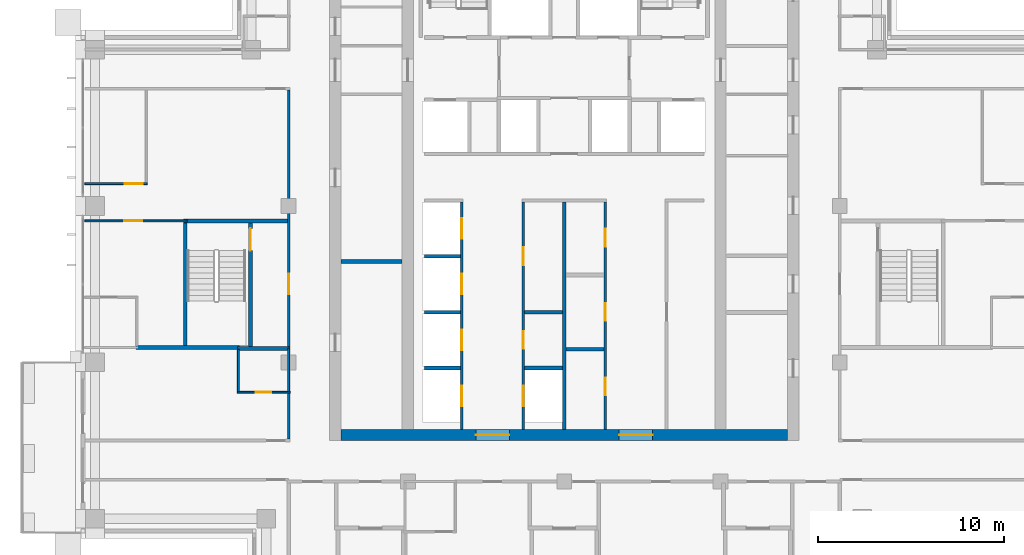
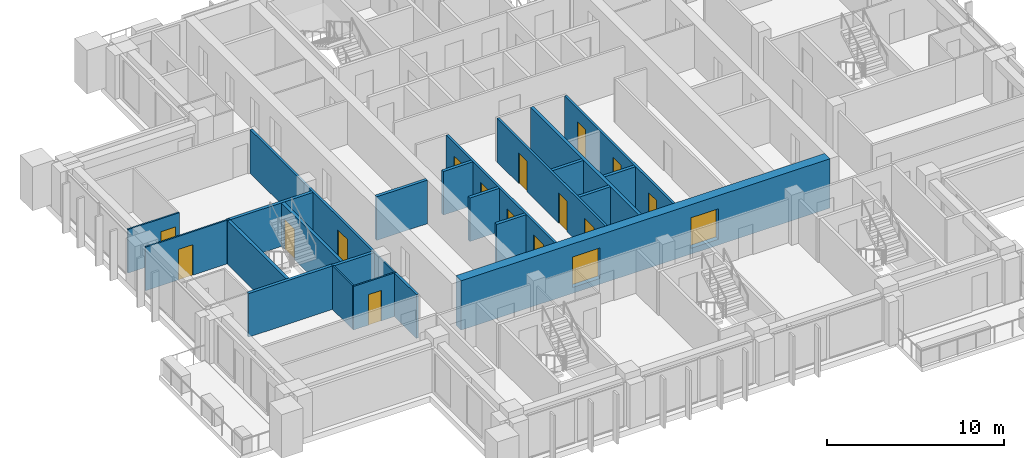
# One storey, part 10 of 19: 24 walls, 17 doors, 17 openings.
"""IFC4 building model written with IfcOpenShell, lengths in metres."""

from ifc_helpers import new_model, si_unit, direction, frame, frame_2d, origin, place, context, subcontext, project, spatial, rectangle, extrude, material, layer, layer_set, type_object, element, fill, save


model = new_model("IFC4")

# Units and contexts
model_context = context("Model", 3, precision=1e-05, world=origin(), true_north=direction((0.0, 1.0)))
body_context = subcontext(model_context, "Body", "Model", "MODEL_VIEW")
ifc_project = project(units=[si_unit("LENGTHUNIT", "METRE"), si_unit("AREAUNIT", "SQUARE_METRE"), si_unit("VOLUMEUNIT", "CUBIC_METRE"), si_unit("PLANEANGLEUNIT", "RADIAN"), si_unit("MASSUNIT", "GRAM", prefix="KILO")], contexts=[model_context])

# Site, building, storey
site_placement = place(None, origin())
site = spatial("IfcSite", under=ifc_project, at=site_placement, CompositionType="ELEMENT")
building_placement = place(site_placement, origin())
building = spatial("IfcBuilding", under=site, at=building_placement, Name="Vermilion Ogive Tower", CompositionType="ELEMENT")
storey_placement = place(building_placement, frame((0.0, 0.0, 213.5)))
storey = spatial("IfcBuildingStorey", under=building, at=storey_placement, Name="L56", CompositionType="ELEMENT", Elevation=213.5)

# Wall, openings, doors
ifc_material_1 = material(Name="Concrete B60", Category="concrete")
ifc_layer_1 = layer(ifc_material_1, 0.60009765625)
ifc_layer_set_1 = layer_set([ifc_layer_1], Name="Core wall 600 B60")
wall_type_1 = type_object("IfcWallType", Name="Core wall 600 B60", PredefinedType="SHEAR", material=ifc_layer_set_1)
wall_1_placement = place(storey_placement, frame((-12.0, -8.10009765625, -0.39990234375), z_axis=(0.0, 0.0, 1.0), x_axis=(1.0, 0.0, 0.0)))
wall_1 = element("IfcWall", 1, at=wall_1_placement, inside=storey, type_object=wall_type_1, Name="L56-CORE-S", PredefinedType="SHEAR", context=body_context, shape_type="SweptSolid", body=[
    extrude(rectangle(XDim=24.0, YDim=0.60009765625, at=frame_2d((12.0, 0.0))), origin(), (0.0, 0.0, 1.0), 3.39990234375),
])
opening_1_placement = place(wall_1_placement, frame((7.25, 0.0, 0.39990234375)))
opening_1 = element("IfcOpeningElement", 2, at=opening_1_placement, cuts=wall_1, Name="Opening DAH045", PredefinedType="OPENING", context=body_context, shape_type="SweptSolid", body=[
    extrude(rectangle(XDim=1.800048828125, YDim=2.10009765625, at=frame_2d((0.89990234375, 1.050048828125))), frame((0.0, 0.31005859375, 0.0), z_axis=(0.0, -1.0, 0.0), x_axis=(1.0, 0.0, 0.0)), (0.0, 0.0, 1.0), 0.6201171875),
])
opening_2_placement = place(wall_1_placement, frame((14.949951171875, 0.0, 0.39990234375)))
opening_2 = element("IfcOpeningElement", 3, at=opening_2_placement, cuts=wall_1, Name="Opening DAH046", PredefinedType="OPENING", context=body_context, shape_type="SweptSolid", body=[
    extrude(rectangle(XDim=1.800048828125, YDim=2.10009765625, at=frame_2d((0.89990234375, 1.050048828125))), frame((0.0, 0.31005859375, 0.0), z_axis=(0.0, -1.0, 0.0), x_axis=(1.0, 0.0, 0.0)), (0.0, 0.0, 1.0), 0.6201171875),
])
ifc_material_2 = material(Name="Timber door leaf", Category="wood")
door_type_1 = type_object("IfcDoorType", Name="Core entry door 1800 x 2100 FD60S", OperationType="DOUBLE_DOOR_SINGLE_SWING", PredefinedType="DOOR", material=ifc_material_2)
door_1_placement = place(opening_1_placement, origin())
door_1 = element("IfcDoor", 4, at=door_1_placement, inside=storey, type_object=door_type_1, Name="L56-CK-XD1", OperationType="SINGLE_SWING_LEFT", OverallHeight=2.10009765625, OverallWidth=1.800048828125, PredefinedType="DOOR", context=body_context, shape_type="SweptSolid", body=[
    extrude(rectangle(XDim=1.800048828125, YDim=2.10009765625, at=frame_2d((0.89990234375, 1.050048828125))), frame((0.0, 0.02490234375, 0.0), z_axis=(0.0, -1.0, 0.0), x_axis=(1.0, 0.0, 0.0)), (0.0, 0.0, 1.0), 0.050048828125),
])
fill(opening_1, door_1)
door_2_placement = place(opening_2_placement, origin())
door_2 = element("IfcDoor", 5, at=door_2_placement, inside=storey, type_object=door_type_1, Name="L56-CK-XD2", OperationType="SINGLE_SWING_LEFT", OverallHeight=2.10009765625, OverallWidth=1.800048828125, PredefinedType="DOOR", context=body_context, shape_type="SweptSolid", body=[
    extrude(rectangle(XDim=1.800048828125, YDim=2.10009765625, at=frame_2d((0.89990234375, 1.050048828125))), frame((0.0, 0.02490234375, 0.0), z_axis=(0.0, -1.0, 0.0), x_axis=(1.0, 0.0, 0.0)), (0.0, 0.0, 1.0), 0.050048828125),
])
fill(opening_2, door_2)

# Wall, opening, door
ifc_material_3 = material(Name="Gypsum board partition on steel studs", Category="steel")
ifc_layer_2 = layer(ifc_material_3, 0.10009765625)
ifc_layer_set_2 = layer_set([ifc_layer_2], Name="Partition 100 bath")
wall_type_2 = type_object("IfcWallType", Name="Partition 100 bath", PredefinedType="PARTITIONING", material=ifc_layer_set_2)
wall_2_placement = place(storey_placement, frame((-17.550048828125, -5.800048828125, 0.0), z_axis=(0.0, 0.0, 1.0), x_axis=(1.0, 0.0, 0.0)))
wall_2 = element("IfcWall", 6, at=wall_2_placement, inside=storey, type_object=wall_type_2, Name="L56-W-W017", PredefinedType="PARTITIONING", context=body_context, shape_type="SweptSolid", body=[
    extrude(rectangle(XDim=2.824951171875, YDim=0.10009765625, at=frame_2d((1.41259765625, 0.0))), origin(), (0.0, 0.0, 1.0), 3.0),
])
opening_3_placement = place(wall_2_placement, frame((0.97509765625, 0.0, 0.0)))
opening_3 = element("IfcOpeningElement", 7, at=opening_3_placement, cuts=wall_2, Name="Opening D4G6003", PredefinedType="OPENING", context=body_context, shape_type="SweptSolid", body=[
    extrude(rectangle(XDim=0.85009765625, YDim=2.10009765625, at=frame_2d((0.425048828125, 1.050048828125))), frame((0.0, 0.06005859375, 0.0), z_axis=(0.0, -1.0, 0.0), x_axis=(1.0, 0.0, 0.0)), (0.0, 0.0, 1.0), 0.1201171875),
])
ifc_material_4 = material(Name="Timber door leaf", Category="wood")
door_type_2 = type_object("IfcDoorType", Name="Bath door 850 x 2100 FD30", OperationType="SINGLE_SWING_LEFT", PredefinedType="DOOR", material=ifc_material_4)
door_3_placement = place(opening_3_placement, origin())
door_3 = element("IfcDoor", 8, at=door_3_placement, inside=storey, type_object=door_type_2, Name="L56-D-D003", OperationType="SINGLE_SWING_LEFT", OverallHeight=2.10009765625, OverallWidth=0.85009765625, PredefinedType="DOOR", context=body_context, shape_type="SweptSolid", body=[
    extrude(rectangle(XDim=0.85009765625, YDim=2.10009765625, at=frame_2d((0.425048828125, 1.050048828125))), frame((0.0, 0.02490234375, 0.0), z_axis=(0.0, -1.0, 0.0), x_axis=(1.0, 0.0, 0.0)), (0.0, 0.0, 1.0), 0.050048828125),
])
fill(opening_3, door_3)

# Walls
wall_3_placement = place(storey_placement, frame((-17.5, -5.75, 0.0), z_axis=(0.0, 0.0, 1.0), x_axis=(0.0, 1.0, 0.0)))
element("IfcWall", 9, at=wall_3_placement, inside=storey, type_object=wall_type_2, Name="L56-W-W044", PredefinedType="PARTITIONING", context=body_context, shape_type="SweptSolid", body=[
    extrude(rectangle(XDim=2.25, YDim=0.10009765625, at=frame_2d((1.125, 0.0))), origin(), (0.0, 0.0, 1.0), 3.0),
])
wall_4_placement = place(storey_placement, frame((-14.800048828125, -5.75, 0.0), z_axis=(0.0, 0.0, 1.0), x_axis=(0.0, 1.0, 0.0)))
element("IfcWall", 10, at=wall_4_placement, inside=storey, type_object=wall_type_2, Name="L56-W-W049", PredefinedType="PARTITIONING", context=body_context, shape_type="SweptSolid", body=[
    extrude(rectangle(XDim=2.300048828125, YDim=0.10009765625, at=frame_2d((1.14990234375, 0.0))), origin(), (0.0, 0.0, 1.0), 3.0),
])

# Wall, opening, door
ifc_material_5 = material(Name="Gypsum board partition on steel studs", Category="steel")
ifc_layer_3 = layer(ifc_material_5, 0.10009765625)
ifc_layer_set_3 = layer_set([ifc_layer_3], Name="Partition 100 inner")
wall_type_3 = type_object("IfcWallType", Name="Partition 100 inner", PredefinedType="PARTITIONING", material=ifc_layer_set_3)
wall_5_placement = place(storey_placement, frame((-25.75, 3.39990234375, 0.0), z_axis=(0.0, 0.0, 1.0), x_axis=(1.0, 0.0, 0.0)))
wall_5 = element("IfcWall", 11, at=wall_5_placement, inside=storey, type_object=wall_type_3, Name="L56-W-W025", PredefinedType="PARTITIONING", context=body_context, shape_type="SweptSolid", body=[
    extrude(rectangle(XDim=5.5, YDim=0.10009765625, at=frame_2d((2.75, 0.0))), origin(), (0.0, 0.0, 1.0), 3.0),
])
opening_4_placement = place(wall_5_placement, frame((2.125, 0.0, 0.0)))
opening_4 = element("IfcOpeningElement", 12, at=opening_4_placement, cuts=wall_5, Name="Opening D4G6006", PredefinedType="OPENING", context=body_context, shape_type="SweptSolid", body=[
    extrude(rectangle(XDim=0.949951171875, YDim=2.10009765625, at=frame_2d((0.47509765625, 1.050048828125))), frame((0.0, 0.06005859375, 0.0), z_axis=(0.0, -1.0, 0.0), x_axis=(1.0, 0.0, 0.0)), (0.0, 0.0, 1.0), 0.1201171875),
])
ifc_material_6 = material(Name="Timber door leaf", Category="wood")
door_type_3 = type_object("IfcDoorType", Name="Inner door 950 x 2100 FD30", OperationType="SINGLE_SWING_LEFT", PredefinedType="DOOR", material=ifc_material_6)
door_4_placement = place(opening_4_placement, origin())
door_4 = element("IfcDoor", 13, at=door_4_placement, inside=storey, type_object=door_type_3, Name="L56-D-D006", OperationType="SINGLE_SWING_LEFT", OverallHeight=2.10009765625, OverallWidth=0.949951171875, PredefinedType="DOOR", context=body_context, shape_type="SweptSolid", body=[
    extrude(rectangle(XDim=0.949951171875, YDim=2.10009765625, at=frame_2d((0.47509765625, 1.050048828125))), frame((0.0, 0.02490234375, 0.0), z_axis=(0.0, -1.0, 0.0), x_axis=(1.0, 0.0, 0.0)), (0.0, 0.0, 1.0), 0.050048828125),
])
fill(opening_4, door_4)

wall_6_placement = place(storey_placement, frame((-25.75, 5.39990234375, 0.0), z_axis=(0.0, 0.0, 1.0), x_axis=(1.0, 0.0, 0.0)))
wall_6 = element("IfcWall", 14, at=wall_6_placement, inside=storey, type_object=wall_type_3, Name="L56-W-W029", PredefinedType="PARTITIONING", context=body_context, shape_type="SweptSolid", body=[
    extrude(rectangle(XDim=3.35009765625, YDim=0.10009765625, at=frame_2d((1.675048828125, 0.0))), origin(), (0.0, 0.0, 1.0), 3.0),
])
opening_5_placement = place(wall_6_placement, frame((2.14990234375, 0.0, 0.0)))
opening_5 = element("IfcOpeningElement", 15, at=opening_5_placement, cuts=wall_6, Name="Opening D4G6004", PredefinedType="OPENING", context=body_context, shape_type="SweptSolid", body=[
    extrude(rectangle(XDim=0.949951171875, YDim=2.10009765625, at=frame_2d((0.47509765625, 1.050048828125))), frame((0.0, 0.06005859375, 0.0), z_axis=(0.0, -1.0, 0.0), x_axis=(1.0, 0.0, 0.0)), (0.0, 0.0, 1.0), 0.1201171875),
])
door_5_placement = place(opening_5_placement, origin())
door_5 = element("IfcDoor", 16, at=door_5_placement, inside=storey, type_object=door_type_3, Name="L56-D-D004", OperationType="SINGLE_SWING_RIGHT", OverallHeight=2.10009765625, OverallWidth=0.949951171875, PredefinedType="DOOR", context=body_context, shape_type="SweptSolid", body=[
    extrude(rectangle(XDim=0.949951171875, YDim=2.10009765625, at=frame_2d((0.47509765625, 1.050048828125))), frame((0.0, 0.02490234375, 0.0), z_axis=(0.0, -1.0, 0.0), x_axis=(1.0, 0.0, 0.0)), (0.0, 0.0, 1.0), 0.050048828125),
])
fill(opening_5, door_5)

# Wall
ifc_material_7 = material(Name="Gypsum board partition on steel studs", Category="steel")
ifc_layer_4 = layer(ifc_material_7, 0.14990234375)
ifc_layer_set_4 = layer_set([ifc_layer_4], Name="Partition 150 corridor")
wall_type_4 = type_object("IfcWallType", Name="Partition 150 corridor", PredefinedType="PARTITIONING", material=ifc_layer_set_4)
wall_7_placement = place(storey_placement, frame((-14.800048828125, -8.324951171875, 0.0), z_axis=(0.0, 0.0, 1.0), x_axis=(0.0, 1.0, 0.0)))
element("IfcWall", 17, at=wall_7_placement, inside=storey, type_object=wall_type_4, Name="L56-W-W048", PredefinedType="PARTITIONING", context=body_context, shape_type="SweptSolid", body=[
    extrude(rectangle(XDim=2.474853515625, YDim=0.14990234375, at=frame_2d((1.2373046875, 0.0))), origin(), (0.0, 0.0, 1.0), 3.0),
])

# Wall, opening, door
wall_8_placement = place(storey_placement, frame((-14.800048828125, -3.35009765625, 0.0), z_axis=(0.0, 0.0, 1.0), x_axis=(0.0, 1.0, 0.0)))
wall_8 = element("IfcWall", 18, at=wall_8_placement, inside=storey, type_object=wall_type_4, Name="L56-W-W050", PredefinedType="PARTITIONING", context=body_context, shape_type="SweptSolid", body=[
    extrude(rectangle(XDim=13.775146484375, YDim=0.14990234375, at=frame_2d((6.8876953125, 0.0))), origin(), (0.0, 0.0, 1.0), 3.0),
])
opening_6_placement = place(wall_8_placement, frame((2.800048828125, 0.0, 0.0)))
opening_6 = element("IfcOpeningElement", 19, at=opening_6_placement, cuts=wall_8, Name="Opening D4G6031", PredefinedType="OPENING", context=body_context, shape_type="SweptSolid", body=[
    extrude(rectangle(XDim=1.10009765625, YDim=2.10009765625, at=frame_2d((0.550048828125, 1.050048828125))), frame((0.0, 0.0849609375, 0.0), z_axis=(0.0, -1.0, 0.0), x_axis=(1.0, 0.0, 0.0)), (0.0, 0.0, 1.0), 0.169921875),
])
ifc_material_8 = material(Name="Timber door leaf", Category="wood")
door_type_4 = type_object("IfcDoorType", Name="Stair door 1100 x 2100 FD60S", OperationType="SINGLE_SWING_LEFT", PredefinedType="DOOR", material=ifc_material_8)
door_6_placement = place(opening_6_placement, origin())
door_6 = element("IfcDoor", 20, at=door_6_placement, inside=storey, type_object=door_type_4, Name="L56-D-D031", OperationType="SINGLE_SWING_RIGHT", OverallHeight=2.10009765625, OverallWidth=1.10009765625, PredefinedType="DOOR", context=body_context, shape_type="SweptSolid", body=[
    extrude(rectangle(XDim=1.10009765625, YDim=2.10009765625, at=frame_2d((0.550048828125, 1.050048828125))), frame((0.0, 0.02490234375, 0.0), z_axis=(0.0, -1.0, 0.0), x_axis=(1.0, 0.0, 0.0)), (0.0, 0.0, 1.0), 0.050048828125),
])
fill(opening_6, door_6)

# Wall, openings, doors
wall_9_placement = place(storey_placement, frame((-5.5, -7.799072265625, 0.0), z_axis=(0.0, 0.0, 1.0), x_axis=(0.0, 1.0, 0.0)))
wall_9 = element("IfcWall", 21, at=wall_9_placement, inside=storey, type_object=wall_type_4, Name="L56-CK-W-W020", PredefinedType="PARTITIONING", context=body_context, shape_type="SweptSolid", body=[
    extrude(rectangle(XDim=12.22412109375, YDim=0.14990234375, at=frame_2d((6.112060546875, 0.0))), origin(), (0.0, 0.0, 1.0), 3.0),
])
opening_7_placement = place(wall_9_placement, frame((1.2490234375, 0.0, 0.0)))
opening_7 = element("IfcOpeningElement", 22, at=opening_7_placement, cuts=wall_9, Name="Opening DAA529", PredefinedType="OPENING", context=body_context, shape_type="SweptSolid", body=[
    extrude(rectangle(XDim=1.10009765625, YDim=2.10009765625, at=frame_2d((0.550048828125, 1.050048828125))), frame((0.0, 0.0849609375, 0.0), z_axis=(0.0, -1.0, 0.0), x_axis=(1.0, 0.0, 0.0)), (0.0, 0.0, 1.0), 0.169921875),
])
opening_8_placement = place(wall_9_placement, frame((4.2490234375, 0.0, 0.0)))
opening_8 = element("IfcOpeningElement", 23, at=opening_8_placement, cuts=wall_9, Name="Opening DAA530", PredefinedType="OPENING", context=body_context, shape_type="SweptSolid", body=[
    extrude(rectangle(XDim=1.10009765625, YDim=2.10009765625, at=frame_2d((0.550048828125, 1.050048828125))), frame((0.0, 0.0849609375, 0.0), z_axis=(0.0, -1.0, 0.0), x_axis=(1.0, 0.0, 0.0)), (0.0, 0.0, 1.0), 0.169921875),
])
opening_9_placement = place(wall_9_placement, frame((7.2490234375, 0.0, 0.0)))
opening_9 = element("IfcOpeningElement", 24, at=opening_9_placement, cuts=wall_9, Name="Opening DAA531", PredefinedType="OPENING", context=body_context, shape_type="SweptSolid", body=[
    extrude(rectangle(XDim=1.10009765625, YDim=2.10009765625, at=frame_2d((0.550048828125, 1.050048828125))), frame((0.0, 0.0849609375, 0.0), z_axis=(0.0, -1.0, 0.0), x_axis=(1.0, 0.0, 0.0)), (0.0, 0.0, 1.0), 0.169921875),
])
opening_10_placement = place(wall_9_placement, frame((10.2490234375, 0.0, 0.0)))
opening_10 = element("IfcOpeningElement", 25, at=opening_10_placement, cuts=wall_9, Name="Opening DAA532", PredefinedType="OPENING", context=body_context, shape_type="SweptSolid", body=[
    extrude(rectangle(XDim=1.10009765625, YDim=2.10009765625, at=frame_2d((0.550048828125, 1.050048828125))), frame((0.0, 0.0849609375, 0.0), z_axis=(0.0, -1.0, 0.0), x_axis=(1.0, 0.0, 0.0)), (0.0, 0.0, 1.0), 0.169921875),
])
ifc_material_9 = material(Name="Stainless steel", Category="steel")
door_type_5 = type_object("IfcDoorType", Name="Lift landing door 1100 x 2100", OperationType="SLIDING_TO_LEFT", PredefinedType="DOOR", material=ifc_material_9)
door_7_placement = place(opening_7_placement, origin())
door_7 = element("IfcDoor", 26, at=door_7_placement, inside=storey, type_object=door_type_5, Name="L56-CK-D-D001", OperationType="SLIDING_TO_LEFT", OverallHeight=2.10009765625, OverallWidth=1.10009765625, PredefinedType="DOOR", context=body_context, shape_type="SweptSolid", body=[
    extrude(rectangle(XDim=1.10009765625, YDim=2.10009765625, at=frame_2d((0.550048828125, 1.050048828125))), frame((0.0, 0.02490234375, 0.0), z_axis=(0.0, -1.0, 0.0), x_axis=(1.0, 0.0, 0.0)), (0.0, 0.0, 1.0), 0.050048828125),
])
fill(opening_7, door_7)
door_8_placement = place(opening_8_placement, origin())
door_8 = element("IfcDoor", 27, at=door_8_placement, inside=storey, type_object=door_type_5, Name="L56-CK-D-D002", OperationType="SLIDING_TO_LEFT", OverallHeight=2.10009765625, OverallWidth=1.10009765625, PredefinedType="DOOR", context=body_context, shape_type="SweptSolid", body=[
    extrude(rectangle(XDim=1.10009765625, YDim=2.10009765625, at=frame_2d((0.550048828125, 1.050048828125))), frame((0.0, 0.02490234375, 0.0), z_axis=(0.0, -1.0, 0.0), x_axis=(1.0, 0.0, 0.0)), (0.0, 0.0, 1.0), 0.050048828125),
])
fill(opening_8, door_8)
door_9_placement = place(opening_9_placement, origin())
door_9 = element("IfcDoor", 28, at=door_9_placement, inside=storey, type_object=door_type_5, Name="L56-CK-D-D003", OperationType="SLIDING_TO_LEFT", OverallHeight=2.10009765625, OverallWidth=1.10009765625, PredefinedType="DOOR", context=body_context, shape_type="SweptSolid", body=[
    extrude(rectangle(XDim=1.10009765625, YDim=2.10009765625, at=frame_2d((0.550048828125, 1.050048828125))), frame((0.0, 0.02490234375, 0.0), z_axis=(0.0, -1.0, 0.0), x_axis=(1.0, 0.0, 0.0)), (0.0, 0.0, 1.0), 0.050048828125),
])
fill(opening_9, door_9)
door_10_placement = place(opening_10_placement, origin())
door_10 = element("IfcDoor", 29, at=door_10_placement, inside=storey, type_object=door_type_5, Name="L56-CK-D-D004", OperationType="SLIDING_TO_LEFT", OverallHeight=2.10009765625, OverallWidth=1.10009765625, PredefinedType="DOOR", context=body_context, shape_type="SweptSolid", body=[
    extrude(rectangle(XDim=1.10009765625, YDim=2.10009765625, at=frame_2d((0.550048828125, 1.050048828125))), frame((0.0, 0.02490234375, 0.0), z_axis=(0.0, -1.0, 0.0), x_axis=(1.0, 0.0, 0.0)), (0.0, 0.0, 1.0), 0.050048828125),
])
fill(opening_10, door_10)

wall_10_placement = place(storey_placement, frame((-2.199951171875, -7.799072265625, 0.0), z_axis=(0.0, 0.0, 1.0), x_axis=(0.0, 1.0, 0.0)))
wall_10 = element("IfcWall", 30, at=wall_10_placement, inside=storey, type_object=wall_type_4, Name="L56-CK-W-W025", PredefinedType="PARTITIONING", context=body_context, shape_type="SweptSolid", body=[
    extrude(rectangle(XDim=12.22412109375, YDim=0.14990234375, at=frame_2d((6.112060546875, 0.0))), origin(), (0.0, 0.0, 1.0), 3.0),
])
opening_11_placement = place(wall_10_placement, frame((1.2490234375, 0.0, 0.0)))
opening_11 = element("IfcOpeningElement", 31, at=opening_11_placement, cuts=wall_10, Name="Opening DAA533", PredefinedType="OPENING", context=body_context, shape_type="SweptSolid", body=[
    extrude(rectangle(XDim=1.10009765625, YDim=2.10009765625, at=frame_2d((0.550048828125, 1.050048828125))), frame((0.0, 0.0849609375, 0.0), z_axis=(0.0, -1.0, 0.0), x_axis=(1.0, 0.0, 0.0)), (0.0, 0.0, 1.0), 0.169921875),
])
opening_12_placement = place(wall_10_placement, frame((4.323974609375, 0.0, 0.0)))
opening_12 = element("IfcOpeningElement", 32, at=opening_12_placement, cuts=wall_10, Name="Opening DAA519", PredefinedType="OPENING", context=body_context, shape_type="SweptSolid", body=[
    extrude(rectangle(XDim=0.949951171875, YDim=2.10009765625, at=frame_2d((0.47509765625, 1.050048828125))), frame((0.0, 0.0849609375, 0.0), z_axis=(0.0, -1.0, 0.0), x_axis=(1.0, 0.0, 0.0)), (0.0, 0.0, 1.0), 0.169921875),
])
opening_13_placement = place(wall_10_placement, frame((8.823974609375, 0.0, 0.0)))
opening_13 = element("IfcOpeningElement", 33, at=opening_13_placement, cuts=wall_10, Name="Opening DAA520", PredefinedType="OPENING", context=body_context, shape_type="SweptSolid", body=[
    extrude(rectangle(XDim=0.949951171875, YDim=2.10009765625, at=frame_2d((0.47509765625, 1.050048828125))), frame((0.0, 0.0849609375, 0.0), z_axis=(0.0, -1.0, 0.0), x_axis=(1.0, 0.0, 0.0)), (0.0, 0.0, 1.0), 0.169921875),
])
door_11_placement = place(opening_11_placement, origin())
door_11 = element("IfcDoor", 34, at=door_11_placement, inside=storey, type_object=door_type_5, Name="L56-CK-D-D005", OperationType="SLIDING_TO_LEFT", OverallHeight=2.10009765625, OverallWidth=1.10009765625, PredefinedType="DOOR", context=body_context, shape_type="SweptSolid", body=[
    extrude(rectangle(XDim=1.10009765625, YDim=2.10009765625, at=frame_2d((0.550048828125, 1.050048828125))), frame((0.0, 0.02490234375, 0.0), z_axis=(0.0, -1.0, 0.0), x_axis=(1.0, 0.0, 0.0)), (0.0, 0.0, 1.0), 0.050048828125),
])
fill(opening_11, door_11)
ifc_material_10 = material(Name="Timber door leaf", Category="wood")
door_type_6 = type_object("IfcDoorType", Name="Service door 950 x 2100 FD60", OperationType="SINGLE_SWING_LEFT", PredefinedType="DOOR", material=ifc_material_10)
door_12_placement = place(opening_12_placement, origin())
door_12 = element("IfcDoor", 35, at=door_12_placement, inside=storey, type_object=door_type_6, Name="L56-CK-D-D006", OperationType="SINGLE_SWING_RIGHT", OverallHeight=2.10009765625, OverallWidth=0.949951171875, PredefinedType="DOOR", context=body_context, shape_type="SweptSolid", body=[
    extrude(rectangle(XDim=0.949951171875, YDim=2.10009765625, at=frame_2d((0.47509765625, 1.050048828125))), frame((0.0, 0.02490234375, 0.0), z_axis=(0.0, -1.0, 0.0), x_axis=(1.0, 0.0, 0.0)), (0.0, 0.0, 1.0), 0.050048828125),
])
fill(opening_12, door_12)
door_13_placement = place(opening_13_placement, origin())
door_13 = element("IfcDoor", 36, at=door_13_placement, inside=storey, type_object=door_type_6, Name="L56-CK-D-D007", OperationType="SINGLE_SWING_LEFT", OverallHeight=2.10009765625, OverallWidth=0.949951171875, PredefinedType="DOOR", context=body_context, shape_type="SweptSolid", body=[
    extrude(rectangle(XDim=0.949951171875, YDim=2.10009765625, at=frame_2d((0.47509765625, 1.050048828125))), frame((0.0, 0.02490234375, 0.0), z_axis=(0.0, -1.0, 0.0), x_axis=(1.0, 0.0, 0.0)), (0.0, 0.0, 1.0), 0.050048828125),
])
fill(opening_13, door_13)

wall_11_placement = place(storey_placement, frame((2.199951171875, -7.799072265625, 0.0), z_axis=(0.0, 0.0, 1.0), x_axis=(0.0, 1.0, 0.0)))
wall_11 = element("IfcWall", 37, at=wall_11_placement, inside=storey, type_object=wall_type_4, Name="L56-CK-W-W032", PredefinedType="PARTITIONING", context=body_context, shape_type="SweptSolid", body=[
    extrude(rectangle(XDim=12.22412109375, YDim=0.14990234375, at=frame_2d((6.112060546875, 0.0))), origin(), (0.0, 0.0, 1.0), 3.0),
])
opening_14_placement = place(wall_11_placement, frame((1.823974609375, 0.0, 0.0)))
opening_14 = element("IfcOpeningElement", 38, at=opening_14_placement, cuts=wall_11, Name="Opening DAA521", PredefinedType="OPENING", context=body_context, shape_type="SweptSolid", body=[
    extrude(rectangle(XDim=0.949951171875, YDim=2.10009765625, at=frame_2d((0.47509765625, 1.050048828125))), frame((0.0, 0.0849609375, 0.0), z_axis=(0.0, -1.0, 0.0), x_axis=(1.0, 0.0, 0.0)), (0.0, 0.0, 1.0), 0.169921875),
])
opening_15_placement = place(wall_11_placement, frame((5.823974609375, 0.0, 0.0)))
opening_15 = element("IfcOpeningElement", 39, at=opening_15_placement, cuts=wall_11, Name="Opening DAA522", PredefinedType="OPENING", context=body_context, shape_type="SweptSolid", body=[
    extrude(rectangle(XDim=0.949951171875, YDim=2.10009765625, at=frame_2d((0.47509765625, 1.050048828125))), frame((0.0, 0.0849609375, 0.0), z_axis=(0.0, -1.0, 0.0), x_axis=(1.0, 0.0, 0.0)), (0.0, 0.0, 1.0), 0.169921875),
])
opening_16_placement = place(wall_11_placement, frame((9.823974609375, 0.0, 0.0)))
opening_16 = element("IfcOpeningElement", 40, at=opening_16_placement, cuts=wall_11, Name="Opening DAA523", PredefinedType="OPENING", context=body_context, shape_type="SweptSolid", body=[
    extrude(rectangle(XDim=0.949951171875, YDim=2.10009765625, at=frame_2d((0.47509765625, 1.050048828125))), frame((0.0, 0.0849609375, 0.0), z_axis=(0.0, -1.0, 0.0), x_axis=(1.0, 0.0, 0.0)), (0.0, 0.0, 1.0), 0.169921875),
])
door_14_placement = place(opening_14_placement, origin())
door_14 = element("IfcDoor", 41, at=door_14_placement, inside=storey, type_object=door_type_6, Name="L56-CK-D-D008", OperationType="SINGLE_SWING_RIGHT", OverallHeight=2.10009765625, OverallWidth=0.949951171875, PredefinedType="DOOR", context=body_context, shape_type="SweptSolid", body=[
    extrude(rectangle(XDim=0.949951171875, YDim=2.10009765625, at=frame_2d((0.47509765625, 1.050048828125))), frame((0.0, 0.02490234375, 0.0), z_axis=(0.0, -1.0, 0.0), x_axis=(1.0, 0.0, 0.0)), (0.0, 0.0, 1.0), 0.050048828125),
])
fill(opening_14, door_14)
door_15_placement = place(opening_15_placement, origin())
door_15 = element("IfcDoor", 42, at=door_15_placement, inside=storey, type_object=door_type_6, Name="L56-CK-D-D009", OperationType="SINGLE_SWING_RIGHT", OverallHeight=2.10009765625, OverallWidth=0.949951171875, PredefinedType="DOOR", context=body_context, shape_type="SweptSolid", body=[
    extrude(rectangle(XDim=0.949951171875, YDim=2.10009765625, at=frame_2d((0.47509765625, 1.050048828125))), frame((0.0, 0.02490234375, 0.0), z_axis=(0.0, -1.0, 0.0), x_axis=(1.0, 0.0, 0.0)), (0.0, 0.0, 1.0), 0.050048828125),
])
fill(opening_15, door_15)
door_16_placement = place(opening_16_placement, origin())
door_16 = element("IfcDoor", 43, at=door_16_placement, inside=storey, type_object=door_type_6, Name="L56-CK-D-D010", OperationType="SINGLE_SWING_LEFT", OverallHeight=2.10009765625, OverallWidth=0.949951171875, PredefinedType="DOOR", context=body_context, shape_type="SweptSolid", body=[
    extrude(rectangle(XDim=0.949951171875, YDim=2.10009765625, at=frame_2d((0.47509765625, 1.050048828125))), frame((0.0, 0.02490234375, 0.0), z_axis=(0.0, -1.0, 0.0), x_axis=(1.0, 0.0, 0.0)), (0.0, 0.0, 1.0), 0.050048828125),
])
fill(opening_16, door_16)

# Walls
ifc_material_11 = material(Name="Gypsum board partition on steel studs", Category="steel")
ifc_layer_5 = layer(ifc_material_11, 0.199951171875)
ifc_layer_set_5 = layer_set([ifc_layer_5], Name="Partition 200 party")
wall_type_5 = type_object("IfcWallType", Name="Partition 200 party", PredefinedType="PARTITIONING", material=ifc_layer_set_5)
wall_12_placement = place(storey_placement, frame((-7.5, -4.5, 0.0), z_axis=(0.0, 0.0, 1.0), x_axis=(1.0, 0.0, 0.0)))
element("IfcWall", 44, at=wall_12_placement, inside=storey, type_object=wall_type_5, Name="L56-CK-W-W001", PredefinedType="PARTITIONING", context=body_context, shape_type="SweptSolid", body=[
    extrude(rectangle(XDim=1.925048828125, YDim=0.199951171875, at=frame_2d((0.96240234375, 0.0))), origin(), (0.0, 0.0, 1.0), 3.0),
])
for number, where, z_axis, x_axis, name in (
    (45, (-2.125, -4.5, 0.0), (0.0, 0.0, 1.0), (1.0, 0.0, 0.0), "L56-CK-W-W002"),
    (46, (0.10009765625, -3.5, 0.0), (0.0, 0.0, 1.0), (1.0, 0.0, 0.0), "L56-CK-W-W003"),
):
    element("IfcWall", number, at=place(storey_placement, frame(where, z_axis=z_axis, x_axis=x_axis)), inside=storey, type_object=wall_type_5, Name=name, PredefinedType="PARTITIONING", context=body_context, shape_type="SweptSolid", body=[
        extrude(rectangle(XDim=2.02490234375, YDim=0.199951171875, at=frame_2d((1.012451171875, 0.0))), origin(), (0.0, 0.0, 1.0), 3.0),
    ])
wall_13_placement = place(storey_placement, frame((-7.5, -1.5, 0.0), z_axis=(0.0, 0.0, 1.0), x_axis=(1.0, 0.0, 0.0)))
element("IfcWall", 47, at=wall_13_placement, inside=storey, type_object=wall_type_5, Name="L56-CK-W-W004", PredefinedType="PARTITIONING", context=body_context, shape_type="SweptSolid", body=[
    extrude(rectangle(XDim=1.925048828125, YDim=0.199951171875, at=frame_2d((0.96240234375, 0.0))), origin(), (0.0, 0.0, 1.0), 3.0),
])
wall_14_placement = place(storey_placement, frame((-2.125, -1.5, 0.0), z_axis=(0.0, 0.0, 1.0), x_axis=(1.0, 0.0, 0.0)))
element("IfcWall", 48, at=wall_14_placement, inside=storey, type_object=wall_type_5, Name="L56-CK-W-W005", PredefinedType="PARTITIONING", context=body_context, shape_type="SweptSolid", body=[
    extrude(rectangle(XDim=2.02490234375, YDim=0.199951171875, at=frame_2d((1.012451171875, 0.0))), origin(), (0.0, 0.0, 1.0), 3.0),
])
wall_15_placement = place(storey_placement, frame((-7.5, 1.5, 0.0), z_axis=(0.0, 0.0, 1.0), x_axis=(1.0, 0.0, 0.0)))
element("IfcWall", 49, at=wall_15_placement, inside=storey, type_object=wall_type_5, Name="L56-CK-W-W007", PredefinedType="PARTITIONING", context=body_context, shape_type="SweptSolid", body=[
    extrude(rectangle(XDim=1.925048828125, YDim=0.199951171875, at=frame_2d((0.96240234375, 0.0))), origin(), (0.0, 0.0, 1.0), 3.0),
])
wall_16_placement = place(storey_placement, frame((0.0, -7.799072265625, 0.0), z_axis=(0.0, 0.0, 1.0), x_axis=(0.0, 1.0, 0.0)))
element("IfcWall", 50, at=wall_16_placement, inside=storey, type_object=wall_type_5, Name="L56-CK-W-W028", PredefinedType="PARTITIONING", context=body_context, shape_type="SweptSolid", body=[
    extrude(rectangle(XDim=12.22412109375, YDim=0.199951171875, at=frame_2d((6.112060546875, 0.0))), origin(), (0.0, 0.0, 1.0), 3.0),
])
wall_17_placement = place(storey_placement, frame((-11.9990234375, 1.22509765625, 0.0), z_axis=(0.0, 0.0, 1.0), x_axis=(1.0, 0.0, 0.0)))
element("IfcWall", 51, at=wall_17_placement, inside=storey, type_object=wall_type_5, Name="L56-CKW-W-W001", PredefinedType="PARTITIONING", context=body_context, shape_type="SweptSolid", body=[
    extrude(rectangle(XDim=3.298095703125, YDim=0.199951171875, at=frame_2d((1.64892578125, 0.0))), origin(), (0.0, 0.0, 1.0), 3.0),
])
ifc_material_12 = material(Name="Concrete B60", Category="concrete")
ifc_layer_6 = layer(ifc_material_12, 0.199951171875)
ifc_layer_set_6 = layer_set([ifc_layer_6], Name="Stair shaft wall 200 Concrete B60")
wall_type_6 = type_object("IfcWallType", Name="Stair shaft wall 200 Concrete B60", PredefinedType="SOLIDWALL", material=ifc_layer_set_6)
wall_18_placement = place(storey_placement, frame((-17.550048828125, -3.449951171875, 0.0), z_axis=(0.0, 0.0, 1.0), x_axis=(1.0, 0.0, 0.0)))
element("IfcWall", 52, at=wall_18_placement, inside=storey, type_object=wall_type_6, Name="L56-W-W020", PredefinedType="SOLIDWALL", context=body_context, shape_type="SweptSolid", body=[
    extrude(rectangle(XDim=2.824951171875, YDim=0.199951171875, at=frame_2d((1.41259765625, 0.0))), origin(), (0.0, 0.0, 1.0), 3.0),
])
wall_19_placement = place(storey_placement, frame((-20.449951171875, 3.39990234375, 0.0), z_axis=(0.0, 0.0, 1.0), x_axis=(1.0, 0.0, 0.0)))
element("IfcWall", 53, at=wall_19_placement, inside=storey, type_object=wall_type_6, Name="L56-W-W026", PredefinedType="SOLIDWALL", context=body_context, shape_type="SweptSolid", body=[
    extrude(rectangle(XDim=5.574951171875, YDim=0.199951171875, at=frame_2d((2.78759765625, 0.0))), origin(), (0.0, 0.0, 1.0), 3.0),
])
wall_20_placement = place(storey_placement, frame((-20.35009765625, -3.300048828125, 0.0), z_axis=(0.0, 0.0, 1.0), x_axis=(0.0, 1.0, 0.0)))
element("IfcWall", 54, at=wall_20_placement, inside=storey, type_object=wall_type_6, Name="L56-W-W043", PredefinedType="SOLIDWALL", context=body_context, shape_type="SweptSolid", body=[
    extrude(rectangle(XDim=6.60009765625, YDim=0.199951171875, at=frame_2d((3.300048828125, 0.0))), origin(), (0.0, 0.0, 1.0), 3.0),
])

# Wall, opening, door
wall_21_placement = place(storey_placement, frame((-16.85009765625, -3.35009765625, 0.0), z_axis=(0.0, 0.0, 1.0), x_axis=(0.0, 1.0, 0.0)))
wall_21 = element("IfcWall", 55, at=wall_21_placement, inside=storey, type_object=wall_type_6, Name="L56-W-W046", PredefinedType="SOLIDWALL", context=body_context, shape_type="SweptSolid", body=[
    extrude(rectangle(XDim=6.650146484375, YDim=0.199951171875, at=frame_2d((3.3251953125, 0.0))), origin(), (0.0, 0.0, 1.0), 3.0),
])
opening_17_placement = place(wall_21_placement, frame((5.14990234375, 0.0, 0.0)))
opening_17 = element("IfcOpeningElement", 56, at=opening_17_placement, cuts=wall_21, Name="Opening D4G6032", PredefinedType="OPENING", context=body_context, shape_type="SweptSolid", body=[
    extrude(rectangle(XDim=1.199951171875, YDim=2.10009765625, at=frame_2d((0.60009765625, 1.050048828125))), frame((0.0, 0.10986328125, 0.0), z_axis=(0.0, -1.0, 0.0), x_axis=(1.0, 0.0, 0.0)), (0.0, 0.0, 1.0), 0.219970703125),
])
ifc_material_13 = material(Name="Timber door leaf", Category="wood")
door_type_7 = type_object("IfcDoorType", Name="Stair door 1200 x 2100 FD60S", OperationType="SINGLE_SWING_LEFT", PredefinedType="DOOR", material=ifc_material_13)
door_17_placement = place(opening_17_placement, origin())
door_17 = element("IfcDoor", 57, at=door_17_placement, inside=storey, type_object=door_type_7, Name="L56-D-D032", OperationType="SINGLE_SWING_RIGHT", OverallHeight=2.10009765625, OverallWidth=1.199951171875, PredefinedType="DOOR", context=body_context, shape_type="SweptSolid", body=[
    extrude(rectangle(XDim=1.199951171875, YDim=2.10009765625, at=frame_2d((0.60009765625, 1.050048828125))), frame((0.0, 0.02490234375, 0.0), z_axis=(0.0, -1.0, 0.0), x_axis=(1.0, 0.0, 0.0)), (0.0, 0.0, 1.0), 0.050048828125),
])
fill(opening_17, door_17)

# Wall
wall_22_placement = place(storey_placement, frame((-23.0, -3.39990234375, 0.0), z_axis=(0.0, 0.0, 1.0), x_axis=(1.0, 0.0, 0.0)))
element("IfcWall", 58, at=wall_22_placement, inside=storey, type_object=wall_type_6, Name="L56-W-W019-A", PredefinedType="SOLIDWALL", context=body_context, shape_type="SweptSolid", body=[
    extrude(rectangle(XDim=5.550048828125, YDim=0.199951171875, at=frame_2d((2.77490234375, 0.0))), origin(), (0.0, 0.0, 1.0), 3.0),
])

save(model, "model.ifc")
